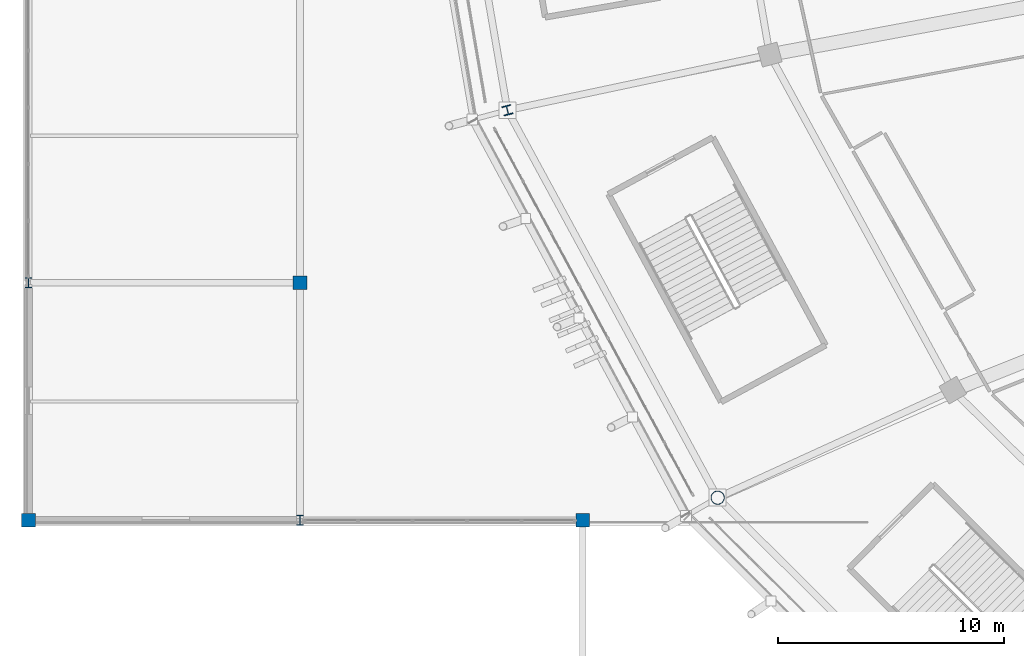
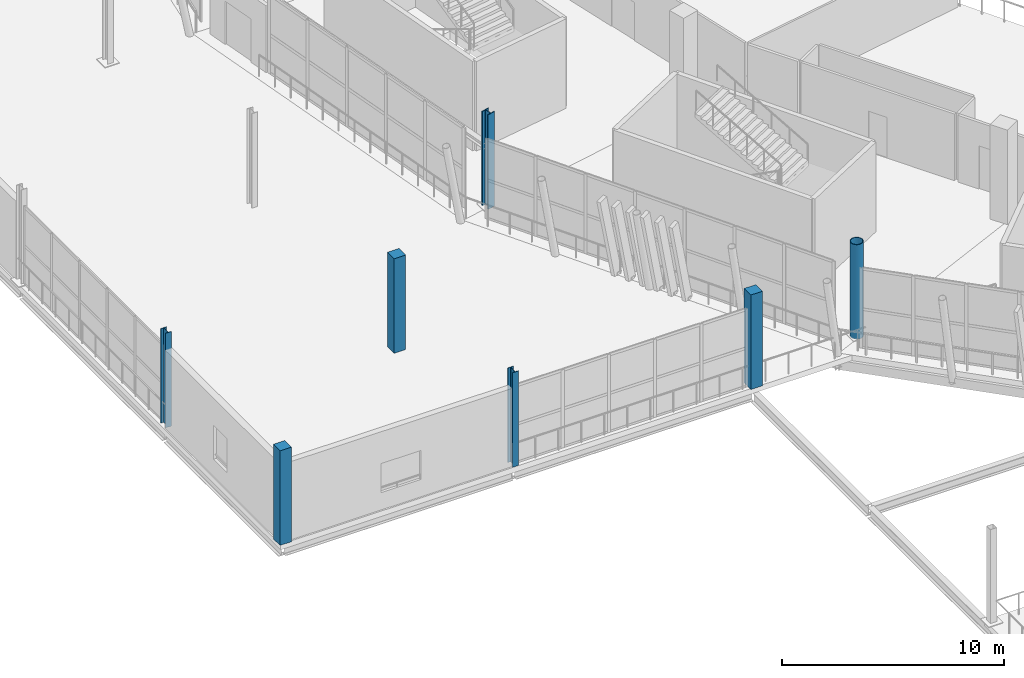
# One storey, part 2 of 178: 7 columns.
"""IFC4 building model written with IfcOpenShell, lengths in metres."""

from ifc_helpers import new_model, si_unit, direction, frame, origin, origin_2d, place, context, subcontext, project, spatial, rectangle, hollow_circle, i_section, extrude, material, material_profile, profile_set, type_object, element, save


model = new_model("IFC4")

# Units and contexts
model_context = context("Model", 3, precision=1e-05, world=origin(), true_north=direction((0.0, 1.0)))
body_context = subcontext(model_context, "Body", "Model", "MODEL_VIEW")
ifc_project = project(units=[si_unit("LENGTHUNIT", "METRE"), si_unit("AREAUNIT", "SQUARE_METRE"), si_unit("VOLUMEUNIT", "CUBIC_METRE"), si_unit("PLANEANGLEUNIT", "RADIAN"), si_unit("MASSUNIT", "GRAM", prefix="KILO")], contexts=[model_context])

# Site, building, storey
site_placement = place(None, origin())
site = spatial("IfcSite", under=ifc_project, at=site_placement, CompositionType="ELEMENT")
building_placement = place(site_placement, origin())
building = spatial("IfcBuilding", under=site, at=building_placement, Name="Zlatoyarsky Gate Stadium", CompositionType="ELEMENT")
storey_placement = place(building_placement, frame((0.0, 0.0, 5.39990234375)))
storey = spatial("IfcBuildingStorey", under=building, at=storey_placement, Name="L01", CompositionType="ELEMENT", Elevation=5.39990234375)

# Columns
ifc_material_1 = material(Name="Concrete C40/50", Category="concrete")
ifc_material_profile_1 = material_profile(ifc_material_1, rectangle(XDim=0.60009765625, YDim=0.60009765625, at=origin_2d()), Name="RC COL 600X600")
ifc_profile_set_1 = profile_set([ifc_material_profile_1], Name="Concrete C40/50")
column_type_1 = type_object("IfcColumnType", Name="CONCRETE COLUMN 600X600", PredefinedType="COLUMN", material=ifc_profile_set_1)
for number, where, z_axis, x_axis, name in (
    (1, (0.0, 43.5, 0.0), (0.0, 0.0, 1.0), (1.0, 0.0, 0.0), "Column RC-C60 WG-1-E on L01"),
    (2, (12.0, 54.0, 0.0), (0.0, 0.0, 1.0), (1.0, 0.0, 0.0), "Column RC-C60 WG-2-F on L01"),
    (3, (24.5, 43.5, 0.0), (0.0, 0.0, 1.0), (1.0, 0.0, 0.0), "Column RC-C60 WG-3-E on L01"),
):
    element("IfcColumn", number, at=place(storey_placement, frame(where, z_axis=z_axis, x_axis=x_axis)), inside=storey, type_object=column_type_1, Name=name, PredefinedType="COLUMN", context=body_context, shape_type="SweptSolid", body=[
        extrude(rectangle(XDim=0.60009765625, YDim=0.60009765625, at=origin_2d()), origin(), (0.0, 0.0, 1.0), 5.2001953125),
    ])
ifc_material_2 = material(Name="Steel S355", Category="steel")
ifc_material_profile_2 = material_profile(ifc_material_2, i_section(OverallWidth=0.300048828125, OverallDepth=0.449951171875, WebThickness=0.013916015625, FlangeThickness=0.02587890625, FilletRadius=0.027099609375, at=origin_2d()), Name="HEB 450")
ifc_profile_set_2 = profile_set([ifc_material_profile_2], Name="Steel S355")
column_type_2 = type_object("IfcColumnType", Name="STEEL COLUMN HEB 450", PredefinedType="COLUMN", material=ifc_profile_set_2)
for number, where, z_axis, x_axis, name in (
    (4, (0.0, 54.0, 0.0), (0.0, 0.0, 1.0), (1.0, 0.0, 0.0), "Column ST-C450 WG-1-F on L01"),
    (5, (12.0, 43.5, 0.0), (0.0, 0.0, 1.0), (1.0, 0.0, 0.0), "Column ST-C450 WG-2-E on L01"),
):
    element("IfcColumn", number, at=place(storey_placement, frame(where, z_axis=z_axis, x_axis=x_axis)), inside=storey, type_object=column_type_2, Name=name, PredefinedType="COLUMN", context=body_context, shape_type="SweptSolid", body=[
        extrude(i_section(OverallWidth=0.300048828125, OverallDepth=0.449951171875, WebThickness=0.013916015625, FlangeThickness=0.02587890625, FilletRadius=0.027099609375, at=origin_2d()), origin(), (0.0, 0.0, 1.0), 5.2001953125),
    ])
ifc_material_profile_3 = material_profile(ifc_material_2, i_section(OverallWidth=0.406005859375, OverallDepth=0.416015625, WebThickness=0.02392578125, FlangeThickness=0.0390625, FilletRadius=0.014892578125, at=origin_2d()), Name="HD 400X382")
ifc_profile_set_3 = profile_set([ifc_material_profile_3], Name="Steel S355")
column_type_3 = type_object("IfcColumnType", Name="STEEL PORTAL PILASTER HD 400X382", PredefinedType="PILASTER", material=ifc_profile_set_3)
column_1_placement = place(storey_placement, frame((21.1689453125, 61.623779296875, 0.0), z_axis=(0.0, 0.0, 1.0), x_axis=(-0.965925826289, -0.258819045103, 0.0)))
element("IfcColumn", 6, at=column_1_placement, inside=storey, type_object=column_type_3, Name="Column ST-CHD RC-13 on L01", PredefinedType="PILASTER", context=body_context, shape_type="SweptSolid", body=[
    extrude(i_section(OverallWidth=0.406005859375, OverallDepth=0.416015625, WebThickness=0.02392578125, FlangeThickness=0.0390625, FilletRadius=0.014892578125, at=origin_2d()), origin(), (0.0, 0.0, 1.0), 5.2001953125),
])
ifc_material_profile_4 = material_profile(ifc_material_2, hollow_circle(Radius=0.304931640625, WallThickness=0.030029296875, at=origin_2d()), Name="CHS 610X30")
ifc_profile_set_4 = profile_set([ifc_material_profile_4], Name="Steel S355")
column_type_4 = type_object("IfcColumnType", Name="STEEL TUBULAR COLUMN CHS 610X30", PredefinedType="COLUMN", material=ifc_profile_set_4)
column_2_placement = place(storey_placement, frame((30.459716796875, 44.5, 0.0), z_axis=(0.0, 0.0, 1.0), x_axis=(-0.866025403784, -0.5, 0.0)))
element("IfcColumn", 7, at=column_2_placement, inside=storey, type_object=column_type_4, Name="Column ST-C610 RC-14 on L01", PredefinedType="COLUMN", context=body_context, shape_type="SweptSolid", body=[
    extrude(hollow_circle(Radius=0.304931640625, WallThickness=0.030029296875, at=origin_2d()), origin(), (0.0, 0.0, 1.0), 5.2001953125),
])

save(model, "model.ifc")
